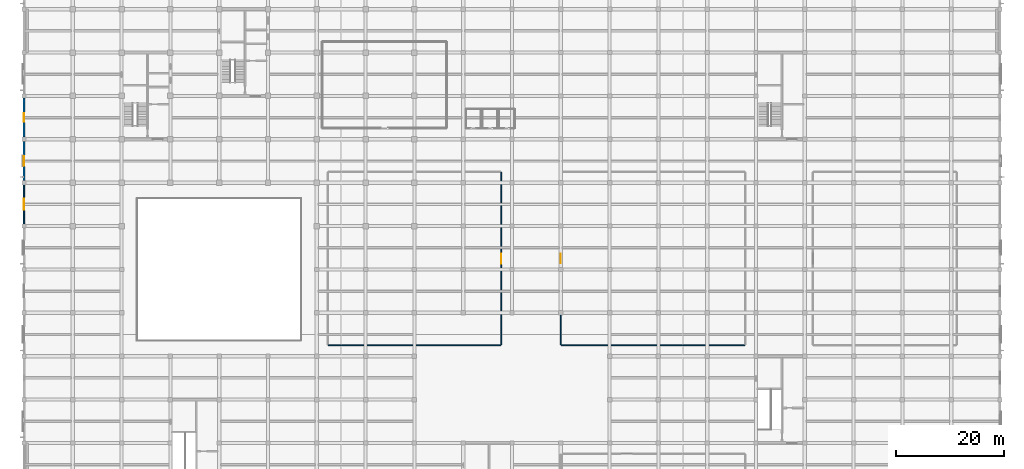
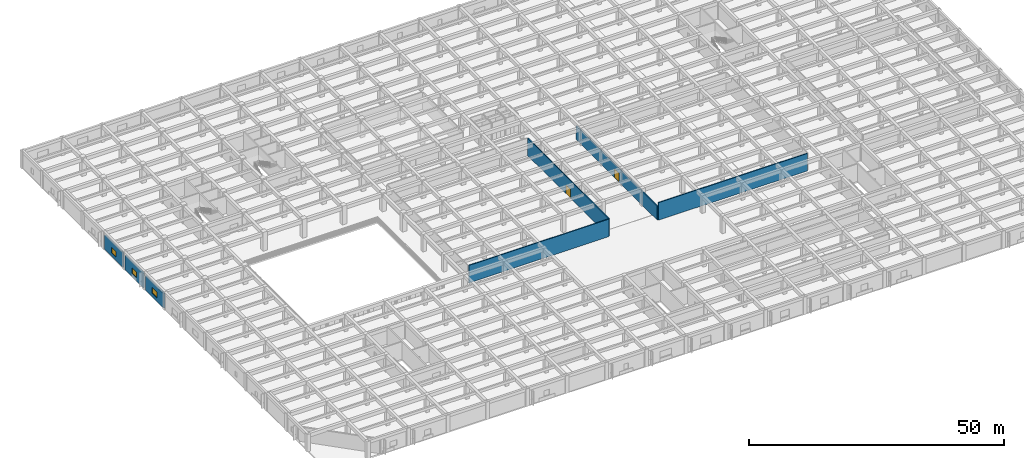
# One storey, part 12 of 32: 7 walls, 3 windows, 2 doors, 5 openings.
"""IFC4 building model written with IfcOpenShell, lengths in metres."""

import ifcopenshell
import ifcopenshell.guid

model = None  # the IFC model being written
_history = None  # IfcOwnerHistory: only IFC2X3 demands one
_inside = {}  # id of a spatial element -> (the spatial element, [elements in it])
_under = {}  # id of a project, library or spatial element -> (it, [spatial elements below it])
_declared = {}  # id of a project -> (the project, [libraries it declares])
_typed = {}  # id of a type object -> (the type object, [elements of that type])
_made_of = {}  # id of a material, layer set ... -> (it, [elements and type objects made of it])


def new_model(schema):
    """Start an empty IFC model of exactly this schema.

    Asked for "IFC4X3", IfcOpenShell would pick the latest addendum, in which some entities
    have other attributes; the version numbers below select the first issue.
    IFC2X3 requires an IfcOwnerHistory on every rooted entity: one is made here for all.
    """
    global model, _history
    if schema == "IFC4X3":
        model = ifcopenshell.file(schema_version=(4, 3, 0, 0))
    else:
        model = ifcopenshell.file(schema=schema)
    _inside.clear()
    _under.clear()
    _declared.clear()
    _typed.clear()
    _made_of.clear()
    _history = None
    if model.schema == "IFC2X3":
        org = make("IfcOrganization", Name="unknown")
        user = make(
            "IfcPersonAndOrganization",
            ThePerson=make("IfcPerson", FamilyName="unknown"),
            TheOrganization=org,
        )
        app = make(
            "IfcApplication",
            ApplicationDeveloper=org,
            Version="unknown",
            ApplicationFullName="unknown",
            ApplicationIdentifier="unknown",
        )
        _history = make(
            "IfcOwnerHistory",
            OwningUser=user,
            OwningApplication=app,
            ChangeAction="ADDED",
            CreationDate=0,
        )
    return model


def make(cls, **values):
    """One entity of the class cls with the attributes given. An attribute that is None is left unset."""
    return model.create_entity(
        cls, **{name: value for name, value in values.items() if value is not None}
    )


def rooted(cls, **values):
    """An entity with a GlobalId (a new one), such as an element, a storey or a relation."""
    return make(cls, GlobalId=ifcopenshell.guid.new(), OwnerHistory=_history, **values)


def si_unit(unit_type, name, prefix=None):
    """IfcSIUnit, for example si_unit("LENGTHUNIT", "METRE", prefix="MILLI")."""
    return make("IfcSIUnit", UnitType=unit_type, Prefix=prefix, Name=name)


def assignment(units):
    """IfcUnitAssignment: the units of a project."""
    return None if units is None else make("IfcUnitAssignment", Units=units)


def point(xyz):
    """IfcCartesianPoint."""
    return None if xyz is None else make("IfcCartesianPoint", Coordinates=xyz)


def direction(xyz):
    """IfcDirection."""
    return None if xyz is None else make("IfcDirection", DirectionRatios=xyz)


def frame(location, z_axis=None, x_axis=None):
    """IfcAxis2Placement3D, a coordinate frame: its origin and axes. An axis left out is left unset."""
    return make(
        "IfcAxis2Placement3D",
        Location=point(location),
        Axis=direction(z_axis),
        RefDirection=direction(x_axis),
    )


def frame_2d(location, x_axis=None):
    """IfcAxis2Placement2D, a coordinate frame in the plane: its origin and x axis."""
    return make(
        "IfcAxis2Placement2D", Location=point(location), RefDirection=direction(x_axis)
    )


def origin():
    """The frame at (0, 0, 0) with its axes left unset."""
    return frame((0.0, 0.0, 0.0))


def place(relative_to, where):
    """IfcLocalPlacement: puts the frame where relative to a parent placement (None: the world)."""
    return make(
        "IfcLocalPlacement", PlacementRelTo=relative_to, RelativePlacement=where
    )


def context(
    kind, dimensions, precision=None, world=None, true_north=None, identifier=None
):
    """IfcGeometricRepresentationContext, for example the 3D "Model" context."""
    return make(
        "IfcGeometricRepresentationContext",
        ContextIdentifier=identifier,
        ContextType=kind,
        CoordinateSpaceDimension=dimensions,
        Precision=precision,
        WorldCoordinateSystem=world,
        TrueNorth=true_north,
    )


def subcontext(parent, identifier, kind, view, scale=None):
    """IfcGeometricRepresentationSubContext, for example "Body" below "Model"."""
    return make(
        "IfcGeometricRepresentationSubContext",
        ContextIdentifier=identifier,
        ContextType=kind,
        ParentContext=parent,
        TargetScale=scale,
        TargetView=view,
    )


def project(units=None, contexts=None):
    """IfcProject with its units and contexts."""
    return rooted(
        "IfcProject",
        Name="project",
        RepresentationContexts=contexts,
        UnitsInContext=assignment(units),
    )


def spatial(cls, under=None, at=None, **own):
    """A site, building, storey or space (cls), placed at a placement, below another one or the project."""
    s = rooted(cls, ObjectPlacement=at, **own)
    if under is not None:
        _under.setdefault(under.id(), (under, []))[1].append(s)
    return s


def profile(cls, at=None, kind="AREA", **sizes):
    """A parametric profile (cls). Its sizes go by their IFC names, for example OverallWidth=200.0."""
    return make(cls, ProfileType=kind, Position=at, **sizes)


def rectangle(**sizes):
    """IfcRectangleProfileDef."""
    return profile("IfcRectangleProfileDef", **sizes)


def extrude(swept, where, along, depth):
    """IfcExtrudedAreaSolid: the profile swept, set in the frame where, extruded along a direction by depth."""
    return make(
        "IfcExtrudedAreaSolid",
        SweptArea=swept,
        Position=where,
        ExtrudedDirection=direction(along),
        Depth=depth,
    )


def shape(context_of_items, identifier, shape_type, items):
    """IfcShapeRepresentation: the items that make up one representation, for example the "Body"."""
    return make(
        "IfcShapeRepresentation",
        ContextOfItems=context_of_items,
        RepresentationIdentifier=identifier,
        RepresentationType=shape_type,
        Items=items,
    )


def material(Name=None, Category=None):
    """IfcMaterial."""
    return make("IfcMaterial", Name=Name, Category=Category)


def layer(
    of_material, thickness, ventilated=None, Name=None, Category=None, Priority=None
):
    """IfcMaterialLayer: one layer of a wall or slab, of a material (None: an air gap)."""
    return make(
        "IfcMaterialLayer",
        Material=of_material,
        LayerThickness=thickness,
        IsVentilated=ventilated,
        Name=Name,
        Category=Category,
        Priority=Priority,
    )


def layer_set(layers, Name=None):
    """IfcMaterialLayerSet."""
    return make("IfcMaterialLayerSet", MaterialLayers=layers, LayerSetName=Name)


def made_of(thing, what):
    """Note that an element or type object is made of a material, layer set ...; save() writes the relation."""
    if what is not None:
        _made_of.setdefault(what.id(), (what, []))[1].append(thing)
    return thing


def type_object(cls, material=None, **own):
    """A type object (cls), such as IfcWallType, which elements share."""
    return made_of(rooted(cls, **own), material)


def element(
    cls,
    number,
    at=None,
    inside=None,
    cuts=None,
    type_object=None,
    material=None,
    context=None,
    identifier="Body",
    shape_type=None,
    held_by="IfcProductDefinitionShape",
    body=None,
    shapes=None,
    **own,
):
    """One element of the class cls, such as IfcWall. Its Tag is "e" and its number.

    at: its placement. inside: the storey or other place that contains it. cuts: it is an
    opening in that element (IfcRelVoidsElement). A single representation is given by context,
    identifier, shape_type and body (its items); several are given by shapes. held_by: the class
    of the entity that holds the representations. save() writes the other relations.
    """
    e = rooted(cls, Tag="e%d" % number, ObjectPlacement=at, **own)
    if body is not None:
        shapes = [shape(context, identifier, shape_type, body)]
    if shapes is not None:
        e.Representation = make(held_by, Representations=shapes)
    if inside is not None:
        _inside.setdefault(inside.id(), (inside, []))[1].append(e)
    if cuts is not None:
        rooted(
            "IfcRelVoidsElement", RelatingBuildingElement=cuts, RelatedOpeningElement=e
        )
    if type_object is not None:
        _typed.setdefault(type_object.id(), (type_object, []))[1].append(e)
    return made_of(e, material)


def fill(opening, filler):
    """IfcRelFillsElement: the door or window that sits in an opening."""
    return rooted(
        "IfcRelFillsElement",
        RelatingOpeningElement=opening,
        RelatedBuildingElement=filler,
    )


def aggregate(whole, parts):
    """IfcRelAggregates: a whole, such as a stair, and the parts it consists of."""
    return rooted("IfcRelAggregates", RelatingObject=whole, RelatedObjects=parts)


def save(model, path):
    """Write the relations noted so far, then the file.

    IfcRelAggregates (storeys below a building ...), IfcRelContainedInSpatialStructure (elements
    in a storey), IfcRelDefinesByType, IfcRelAssociatesMaterial and IfcRelDeclares: one each for
    every whole, place, type object, material and project.
    """
    for whole, parts in _under.values():
        aggregate(whole, parts)
    for where, things in _inside.values():
        rooted(
            "IfcRelContainedInSpatialStructure",
            RelatedElements=things,
            RelatingStructure=where,
        )
    for kind, things in _typed.values():
        rooted("IfcRelDefinesByType", RelatedObjects=things, RelatingType=kind)
    for what, things in _made_of.values():
        rooted("IfcRelAssociatesMaterial", RelatedObjects=things, RelatingMaterial=what)
    for by, libraries in _declared.values():
        rooted("IfcRelDeclares", RelatingContext=by, RelatedDefinitions=libraries)
    model.write(path)


model = new_model("IFC4")

# Units and contexts
model_context = context("Model", 3, precision=1e-05, world=origin(), true_north=direction((0.0, 1.0)))
body_context = subcontext(model_context, "Body", "Model", "MODEL_VIEW")
ifc_project = project(units=[si_unit("LENGTHUNIT", "METRE"), si_unit("AREAUNIT", "SQUARE_METRE"), si_unit("VOLUMEUNIT", "CUBIC_METRE"), si_unit("PLANEANGLEUNIT", "RADIAN"), si_unit("MASSUNIT", "GRAM", prefix="KILO")], contexts=[model_context])

# Site, building, storey
site_placement = place(None, origin())
site = spatial("IfcSite", under=ifc_project, at=site_placement, CompositionType="ELEMENT")
building_placement = place(site_placement, origin())
building = spatial("IfcBuilding", under=site, at=building_placement, Name="Zaverband Oceanarium and Marine Research Institute", CompositionType="ELEMENT")
storey_placement = place(building_placement, frame((0.0, 0.0, 13.5)))
storey = spatial("IfcBuildingStorey", under=building, at=storey_placement, Name="L03", CompositionType="ELEMENT", Elevation=13.5)

# Wall, opening, window
ifc_material_1 = material(Name="Concrete C40/50 precast", Category="concrete")
ifc_layer_1 = layer(ifc_material_1, 0.264892578125, Name="Concrete C40/50 precast")
ifc_layer_set_1 = layer_set([ifc_layer_1], Name="Concrete C40/50 precast")
wall_type_1 = type_object("IfcWallType", Name="EW-265", PredefinedType="STANDARD", material=ifc_layer_set_1)
wall_1_placement = place(storey_placement, frame((0.0, 64.405029296875, 0.0), z_axis=(0.0, 0.0, 1.0), x_axis=(0.0, 1.0, 0.0)))
wall_1 = element("IfcWall", 1, at=wall_1_placement, inside=storey, type_object=wall_type_1, Name="Exterior infill wall EW-265", PredefinedType="STANDARD", context=body_context, shape_type="SweptSolid", body=[
    extrude(rectangle(XDim=7.18994140625, YDim=0.264892578125, at=frame_2d((3.594970703125, 0.0))), origin(), (0.0, 0.0, 1.0), 3.47998046875),
])
opening_1_placement = place(wall_1_placement, frame((2.594970703125, 0.0, 0.85009765625)))
opening_1 = element("IfcOpeningElement", 2, at=opening_1_placement, cuts=wall_1, Name="Opening WN-2000x1350", PredefinedType="OPENING", context=body_context, shape_type="SweptSolid", body=[
    extrude(rectangle(XDim=2.0, YDim=1.35009765625, at=frame_2d((1.0, 0.675048828125))), frame((0.0, 0.14453125, 0.0), z_axis=(0.0, -1.0, 0.0), x_axis=(1.0, 0.0, 0.0)), (0.0, 0.0, 1.0), 0.288818359375),
])
ifc_material_2 = material(Name="Thermally broken anodized aluminium and solar-control glass", Category="aluminium")
window_type_1 = type_object("IfcWindowType", Name="WN-2000x1350", PartitioningType="SINGLE_PANEL", PredefinedType="WINDOW", material=ifc_material_2)
window_1_placement = place(opening_1_placement, origin())
window_1 = element("IfcWindow", 3, at=window_1_placement, inside=storey, type_object=window_type_1, Name="Fixed / casement exterior window WN-2000x1350", OverallHeight=1.35009765625, OverallWidth=2.0, PartitioningType="SINGLE_PANEL", PredefinedType="WINDOW", context=body_context, shape_type="SweptSolid", body=[
    extrude(rectangle(XDim=2.0, YDim=1.35009765625, at=frame_2d((1.0, 0.675048828125))), frame((0.0, 0.030029296875, 0.0), z_axis=(0.0, -1.0, 0.0), x_axis=(1.0, 0.0, 0.0)), (0.0, 0.0, 1.0), 0.06005859375),
])
fill(opening_1, window_1)

ifc_layer_2 = layer(ifc_material_1, 0.2900390625, Name="Concrete C40/50 precast")
ifc_layer_set_2 = layer_set([ifc_layer_2], Name="Concrete C40/50 precast")
wall_type_2 = type_object("IfcWallType", Name="EW-290", PredefinedType="STANDARD", material=ifc_layer_set_2)
wall_2_placement = place(storey_placement, frame((0.0, 80.405029296875, 0.0), z_axis=(0.0, 0.0, 1.0), x_axis=(0.0, 1.0, 0.0)))
wall_2 = element("IfcWall", 4, at=wall_2_placement, inside=storey, type_object=wall_type_2, Name="Exterior infill wall EW-290", PredefinedType="STANDARD", context=body_context, shape_type="SweptSolid", body=[
    extrude(rectangle(XDim=7.18994140625, YDim=0.2900390625, at=frame_2d((3.594970703125, 0.0))), origin(), (0.0, 0.0, 1.0), 3.47998046875),
])
opening_2_placement = place(wall_2_placement, frame((2.794921875, 0.0, 0.85009765625)))
opening_2 = element("IfcOpeningElement", 5, at=opening_2_placement, cuts=wall_2, Name="Opening WN-1600x1350", PredefinedType="OPENING", context=body_context, shape_type="SweptSolid", body=[
    extrude(rectangle(XDim=1.60009765625, YDim=1.35009765625, at=frame_2d((0.800048828125, 0.675048828125))), frame((0.0, 0.156982421875, 0.0), z_axis=(0.0, -1.0, 0.0), x_axis=(1.0, 0.0, 0.0)), (0.0, 0.0, 1.0), 0.31396484375),
])
window_type_2 = type_object("IfcWindowType", Name="WN-1600x1350", PartitioningType="SINGLE_PANEL", PredefinedType="WINDOW", material=ifc_material_2)
window_2_placement = place(opening_2_placement, origin())
window_2 = element("IfcWindow", 6, at=window_2_placement, inside=storey, type_object=window_type_2, Name="Fixed / casement exterior window WN-1600x1350", OverallHeight=1.35009765625, OverallWidth=1.60009765625, PartitioningType="SINGLE_PANEL", PredefinedType="WINDOW", context=body_context, shape_type="SweptSolid", body=[
    extrude(rectangle(XDim=1.60009765625, YDim=1.35009765625, at=frame_2d((0.800048828125, 0.675048828125))), frame((0.0, 0.030029296875, 0.0), z_axis=(0.0, -1.0, 0.0), x_axis=(1.0, 0.0, 0.0)), (0.0, 0.0, 1.0), 0.06005859375),
])
fill(opening_2, window_2)

ifc_layer_3 = layer(ifc_material_1, 0.31005859375, Name="Concrete C40/50 precast")
ifc_layer_set_3 = layer_set([ifc_layer_3], Name="Concrete C40/50 precast")
wall_type_3 = type_object("IfcWallType", Name="EW-310", PredefinedType="STANDARD", material=ifc_layer_set_3)
wall_3_placement = place(storey_placement, frame((0.0, 72.405029296875, 0.0), z_axis=(0.0, 0.0, 1.0), x_axis=(0.0, 1.0, 0.0)))
wall_3 = element("IfcWall", 7, at=wall_3_placement, inside=storey, type_object=wall_type_3, Name="Exterior infill wall EW-310", PredefinedType="STANDARD", context=body_context, shape_type="SweptSolid", body=[
    extrude(rectangle(XDim=7.18994140625, YDim=0.31005859375, at=frame_2d((3.594970703125, 0.0))), origin(), (0.0, 0.0, 1.0), 3.47998046875),
])
opening_3_placement = place(wall_3_placement, frame((2.695068359375, 0.0, 0.85009765625)))
opening_3 = element("IfcOpeningElement", 8, at=opening_3_placement, cuts=wall_3, Name="Opening WN-1800x1350", PredefinedType="OPENING", context=body_context, shape_type="SweptSolid", body=[
    extrude(rectangle(XDim=1.800048828125, YDim=1.35009765625, at=frame_2d((0.89990234375, 0.675048828125))), frame((0.0, 0.1669921875, 0.0), z_axis=(0.0, -1.0, 0.0), x_axis=(1.0, 0.0, 0.0)), (0.0, 0.0, 1.0), 0.333984375),
])
window_type_3 = type_object("IfcWindowType", Name="WN-1800x1350", PartitioningType="SINGLE_PANEL", PredefinedType="WINDOW", material=ifc_material_2)
window_3_placement = place(opening_3_placement, origin())
window_3 = element("IfcWindow", 9, at=window_3_placement, inside=storey, type_object=window_type_3, Name="Fixed / casement exterior window WN-1800x1350", OverallHeight=1.35009765625, OverallWidth=1.800048828125, PartitioningType="SINGLE_PANEL", PredefinedType="WINDOW", context=body_context, shape_type="SweptSolid", body=[
    extrude(rectangle(XDim=1.800048828125, YDim=1.35009765625, at=frame_2d((0.89990234375, 0.675048828125))), frame((0.0, 0.030029296875, 0.0), z_axis=(0.0, -1.0, 0.0), x_axis=(1.0, 0.0, 0.0)), (0.0, 0.0, 1.0), 0.06005859375),
])
fill(opening_3, window_3)

# Wall
ifc_material_3 = material(Name="Fire-rated masonry compartment wall", Category="masonry")
ifc_layer_4 = layer(ifc_material_3, 0.199951171875, Name="Fire-rated masonry compartment wall")
ifc_layer_set_4 = layer_set([ifc_layer_4], Name="Fire-rated masonry compartment wall")
wall_type_4 = type_object("IfcWallType", Name="PT-200-FR", PredefinedType="PARTITIONING", material=ifc_layer_set_4)
wall_4_placement = place(storey_placement, frame((56.10009765625, 42.0, 0.0), z_axis=(0.0, 0.0, 1.0), x_axis=(1.0, 0.0, 0.0)))
element("IfcWall", 10, at=wall_4_placement, inside=storey, type_object=wall_type_4, Name="Internal partition PT-200-FR", PredefinedType="PARTITIONING", context=body_context, shape_type="SweptSolid", body=[
    extrude(rectangle(XDim=31.7998046875, YDim=0.199951171875, at=frame_2d((15.89990234375, 0.0))), origin(), (0.0, 0.0, 1.0), 4.199951171875),
])

# Wall, opening, door
wall_5_placement = place(storey_placement, frame((88.0, 42.10009765625, 0.0), z_axis=(0.0, 0.0, 1.0), x_axis=(0.0, 1.0, 0.0)))
wall_5 = element("IfcWall", 11, at=wall_5_placement, inside=storey, type_object=wall_type_4, Name="Internal partition PT-200-FR", PredefinedType="PARTITIONING", context=body_context, shape_type="SweptSolid", body=[
    extrude(rectangle(XDim=31.7998046875, YDim=0.199951171875, at=frame_2d((15.89990234375, 0.0))), origin(), (0.0, 0.0, 1.0), 4.199951171875),
])
opening_4_placement = place(wall_5_placement, frame((14.97509765625, 0.0, 0.0)))
opening_4 = element("IfcOpeningElement", 12, at=opening_4_placement, cuts=wall_5, Name="Opening ID-1850x2180", PredefinedType="OPENING", context=body_context, shape_type="SweptSolid", body=[
    extrude(rectangle(XDim=1.85009765625, YDim=2.179931640625, at=frame_2d((0.925048828125, 1.08984375))), frame((0.0, 0.11181640625, 0.0), z_axis=(0.0, -1.0, 0.0), x_axis=(1.0, 0.0, 0.0)), (0.0, 0.0, 1.0), 0.223876953125),
])
ifc_material_4 = material(Name="Steel S355", Category="steel")
door_type_1 = type_object("IfcDoorType", Name="ID-1850x2180", OperationType="DOUBLE_DOOR_SINGLE_SWING", PredefinedType="DOOR", material=ifc_material_4)
door_1_placement = place(opening_4_placement, origin())
door_1 = element("IfcDoor", 13, at=door_1_placement, inside=storey, type_object=door_type_1, Name="Life support plant double equipment door ID-1850x2180", OperationType="DOUBLE_DOOR_SINGLE_SWING", OverallHeight=2.179931640625, OverallWidth=1.85009765625, PredefinedType="DOOR", context=body_context, shape_type="SweptSolid", body=[
    extrude(rectangle(XDim=1.85009765625, YDim=2.179931640625, at=frame_2d((0.925048828125, 1.08984375))), frame((0.0, 0.02490234375, 0.0), z_axis=(0.0, -1.0, 0.0), x_axis=(1.0, 0.0, 0.0)), (0.0, 0.0, 1.0), 0.050048828125),
])
fill(opening_4, door_1)

# Wall
wall_6_placement = place(storey_placement, frame((99.10009765625, 42.0, 0.0), z_axis=(0.0, 0.0, 1.0), x_axis=(1.0, 0.0, 0.0)))
element("IfcWall", 14, at=wall_6_placement, inside=storey, type_object=wall_type_4, Name="Internal partition PT-200-FR", PredefinedType="PARTITIONING", context=body_context, shape_type="SweptSolid", body=[
    extrude(rectangle(XDim=33.7998046875, YDim=0.199951171875, at=frame_2d((16.89990234375, 0.0))), origin(), (0.0, 0.0, 1.0), 4.199951171875),
])

# Wall, opening, door
wall_7_placement = place(storey_placement, frame((99.0, 42.10009765625, 0.0), z_axis=(0.0, 0.0, 1.0), x_axis=(0.0, 1.0, 0.0)))
wall_7 = element("IfcWall", 15, at=wall_7_placement, inside=storey, type_object=wall_type_4, Name="Internal partition PT-200-FR", PredefinedType="PARTITIONING", context=body_context, shape_type="SweptSolid", body=[
    extrude(rectangle(XDim=31.7998046875, YDim=0.199951171875, at=frame_2d((15.89990234375, 0.0))), origin(), (0.0, 0.0, 1.0), 3.35009765625),
])
opening_5_placement = place(wall_7_placement, frame((15.010009765625, 0.0, 0.0)))
opening_5 = element("IfcOpeningElement", 16, at=opening_5_placement, cuts=wall_7, Name="Opening ID-1780x2160", PredefinedType="OPENING", context=body_context, shape_type="SweptSolid", body=[
    extrude(rectangle(XDim=1.780029296875, YDim=2.159912109375, at=frame_2d((0.89013671875, 1.080078125))), frame((0.0, 0.11181640625, 0.0), z_axis=(0.0, -1.0, 0.0), x_axis=(1.0, 0.0, 0.0)), (0.0, 0.0, 1.0), 0.223876953125),
])
door_type_2 = type_object("IfcDoorType", Name="ID-1780x2160", OperationType="DOUBLE_DOOR_SINGLE_SWING", PredefinedType="DOOR", material=ifc_material_4)
door_2_placement = place(opening_5_placement, origin())
door_2 = element("IfcDoor", 17, at=door_2_placement, inside=storey, type_object=door_type_2, Name="Chiller plant double door ID-1780x2160", OperationType="DOUBLE_DOOR_SINGLE_SWING", OverallHeight=2.159912109375, OverallWidth=1.780029296875, PredefinedType="DOOR", context=body_context, shape_type="SweptSolid", body=[
    extrude(rectangle(XDim=1.780029296875, YDim=2.159912109375, at=frame_2d((0.89013671875, 1.080078125))), frame((0.0, 0.02490234375, 0.0), z_axis=(0.0, -1.0, 0.0), x_axis=(1.0, 0.0, 0.0)), (0.0, 0.0, 1.0), 0.050048828125),
])
fill(opening_5, door_2)

save(model, "model.ifc")
